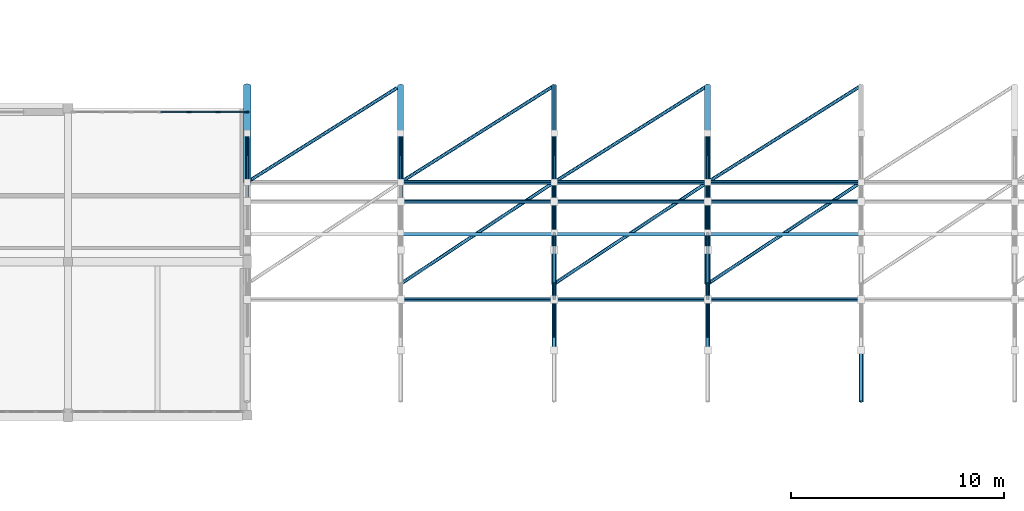
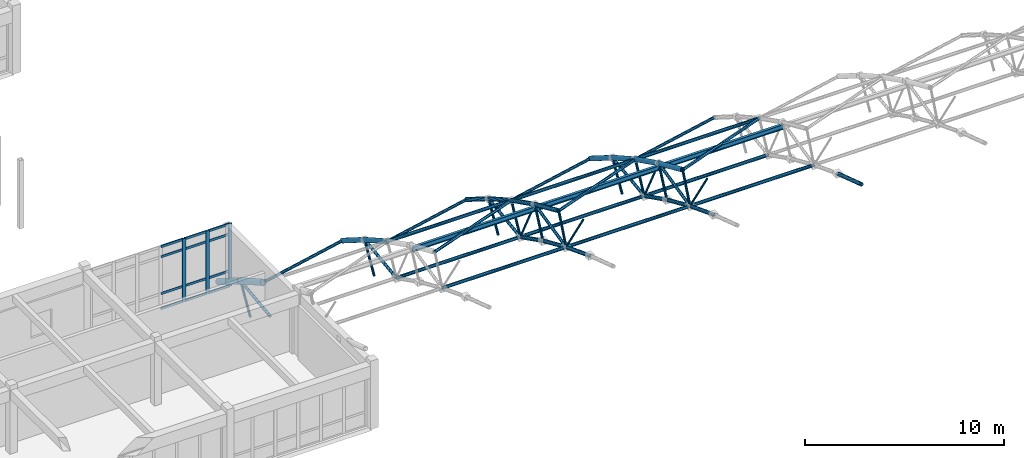
# One storey, part 56 of 89: 73 members, 1 element without a shape of its own.
"""IFC4 building model written with IfcOpenShell, lengths in metres."""

from ifc_helpers import new_model, si_unit, direction, frame, origin, origin_2d, place, context, subcontext, project, spatial, rectangle, hollow_circle, i_section, extrude, material, material_profile, profile_set, type_object, element, aggregate, save


model = new_model("IFC4")

# Units and contexts
model_context = context("Model", 3, precision=1e-05, world=origin(), true_north=direction((0.0, 1.0)))
body_context = subcontext(model_context, "Body", "Model", "MODEL_VIEW")
ifc_project = project(units=[si_unit("LENGTHUNIT", "METRE"), si_unit("AREAUNIT", "SQUARE_METRE"), si_unit("VOLUMEUNIT", "CUBIC_METRE"), si_unit("PLANEANGLEUNIT", "RADIAN"), si_unit("MASSUNIT", "GRAM", prefix="KILO")], contexts=[model_context])

# Site, building, storey
site_placement = place(None, origin())
site = spatial("IfcSite", under=ifc_project, at=site_placement, CompositionType="ELEMENT")
building_placement = place(site_placement, origin())
building = spatial("IfcBuilding", under=site, at=building_placement, Name="Malvenik Polytechnic", CompositionType="ELEMENT")
storey_placement = place(building_placement, frame((0.0, 0.0, 13.5)))
storey = spatial("IfcBuildingStorey", under=building, at=storey_placement, Name="L03", CompositionType="ELEMENT", Elevation=13.5)

# Curtain wall, members
ifc_material_1 = material(Name="Anodised aluminium 6060-T6", Category="aluminium")
curtain_wall_type = type_object("IfcCurtainWallType", Name="ARC-CW-CW-01", PredefinedType="NOTDEFINED", material=ifc_material_1)
curtain_wall_placement = place(storey_placement, origin())
curtain_wall = element("IfcCurtainWall", 1, at=curtain_wall_placement, inside=storey, type_object=curtain_wall_type, Name="Unitised Curtain Wall CW-01 L03 #192", PredefinedType="NOTDEFINED")
ifc_material_2 = material(Name="Anodised aluminium", Category="aluminium")
ifc_material_profile_1 = material_profile(ifc_material_2, rectangle(XDim=0.06005859375, YDim=0.199951171875, at=origin_2d()), Name="ALU MULLION 60x200")
ifc_profile_set_1 = profile_set([ifc_material_profile_1], Name="Anodised aluminium")
member_type_1 = type_object("IfcMemberType", Name="ARC-CWM-200", PredefinedType="MULLION", material=ifc_profile_set_1)
member_1_placement = place(storey_placement, frame((131.67431640625, 93.429931640625, 0.0), z_axis=(0.0, 0.0, 1.0), x_axis=(0.0, 1.0, 0.0)))
member_1 = element("IfcMember", 2, at=member_1_placement, type_object=member_type_1, Name="CW-01 mullion 5", PredefinedType="MULLION", context=body_context, shape_type="SweptSolid", body=[
    extrude(rectangle(XDim=0.06005859375, YDim=0.199951171875, at=origin_2d()), origin(), (0.0, 0.0, 1.0), 3.860107421875),
])
member_2_placement = place(storey_placement, frame((133.037109375, 93.429931640625, 0.0), z_axis=(0.0, 0.0, 1.0), x_axis=(0.0, 1.0, 0.0)))
member_2 = element("IfcMember", 3, at=member_2_placement, type_object=member_type_1, Name="CW-01 mullion 6", PredefinedType="MULLION", context=body_context, shape_type="SweptSolid", body=[
    extrude(rectangle(XDim=0.06005859375, YDim=0.199951171875, at=origin_2d()), origin(), (0.0, 0.0, 1.0), 3.860107421875),
])
member_3_placement = place(storey_placement, frame((134.3701171875, 93.429931640625, 0.0), z_axis=(0.0, 0.0, 1.0), x_axis=(0.0, 1.0, 0.0)))
member_3 = element("IfcMember", 4, at=member_3_placement, type_object=member_type_1, Name="CW-01 mullion 7", PredefinedType="MULLION", context=body_context, shape_type="SweptSolid", body=[
    extrude(rectangle(XDim=0.06005859375, YDim=0.199951171875, at=origin_2d()), origin(), (0.0, 0.0, 1.0), 3.860107421875),
])
ifc_material_profile_2 = material_profile(ifc_material_2, rectangle(XDim=0.06005859375, YDim=0.139892578125, at=origin_2d()), Name="ALU TRANSOM 60x140")
ifc_profile_set_2 = profile_set([ifc_material_profile_2], Name="Anodised aluminium")
member_type_2 = type_object("IfcMemberType", Name="ARC-CWT-140", PredefinedType="USERDEFINED", material=ifc_profile_set_2)
member_4_placement = place(storey_placement, frame((130.341552734375, 93.429931640625, 0.030029296875), z_axis=(1.0, 0.0, 0.0), x_axis=(0.0, 1.0, 0.0)))
member_4 = element("IfcMember", 5, at=member_4_placement, type_object=member_type_2, Name="CW-01 transom 4.1", ObjectType="TRANSOM", PredefinedType="USERDEFINED", context=body_context, shape_type="SweptSolid", body=[
    extrude(rectangle(XDim=0.06005859375, YDim=0.139892578125, at=origin_2d()), origin(), (0.0, 0.0, 1.0), 1.302734375),
])
member_5_placement = place(storey_placement, frame((130.341552734375, 93.429931640625, 0.949951171875), z_axis=(1.0, 0.0, 0.0), x_axis=(0.0, 1.0, 0.0)))
member_5 = element("IfcMember", 6, at=member_5_placement, type_object=member_type_2, Name="CW-01 transom 4.2", ObjectType="TRANSOM", PredefinedType="USERDEFINED", context=body_context, shape_type="SweptSolid", body=[
    extrude(rectangle(XDim=0.06005859375, YDim=0.139892578125, at=origin_2d()), origin(), (0.0, 0.0, 1.0), 1.302734375),
])
member_6_placement = place(storey_placement, frame((130.341552734375, 93.429931640625, 3.2099609375), z_axis=(1.0, 0.0, 0.0), x_axis=(0.0, 1.0, 0.0)))
member_6 = element("IfcMember", 7, at=member_6_placement, type_object=member_type_2, Name="CW-01 transom 4.3", ObjectType="TRANSOM", PredefinedType="USERDEFINED", context=body_context, shape_type="SweptSolid", body=[
    extrude(rectangle(XDim=0.06005859375, YDim=0.139892578125, at=origin_2d()), origin(), (0.0, 0.0, 1.0), 1.302734375),
])
member_7_placement = place(storey_placement, frame((130.341552734375, 93.429931640625, 3.830078125), z_axis=(1.0, 0.0, 0.0), x_axis=(0.0, 1.0, 0.0)))
member_7 = element("IfcMember", 8, at=member_7_placement, type_object=member_type_2, Name="CW-01 transom 4.4", ObjectType="TRANSOM", PredefinedType="USERDEFINED", context=body_context, shape_type="SweptSolid", body=[
    extrude(rectangle(XDim=0.06005859375, YDim=0.139892578125, at=origin_2d()), origin(), (0.0, 0.0, 1.0), 1.302734375),
])
member_8_placement = place(storey_placement, frame((131.704345703125, 93.429931640625, 0.030029296875), z_axis=(1.0, 0.0, 0.0), x_axis=(0.0, 1.0, 0.0)))
member_8 = element("IfcMember", 9, at=member_8_placement, type_object=member_type_2, Name="CW-01 transom 5.1", ObjectType="TRANSOM", PredefinedType="USERDEFINED", context=body_context, shape_type="SweptSolid", body=[
    extrude(rectangle(XDim=0.06005859375, YDim=0.139892578125, at=origin_2d()), origin(), (0.0, 0.0, 1.0), 1.302734375),
])
member_9_placement = place(storey_placement, frame((131.704345703125, 93.429931640625, 0.949951171875), z_axis=(1.0, 0.0, 0.0), x_axis=(0.0, 1.0, 0.0)))
member_9 = element("IfcMember", 10, at=member_9_placement, type_object=member_type_2, Name="CW-01 transom 5.2", ObjectType="TRANSOM", PredefinedType="USERDEFINED", context=body_context, shape_type="SweptSolid", body=[
    extrude(rectangle(XDim=0.06005859375, YDim=0.139892578125, at=origin_2d()), origin(), (0.0, 0.0, 1.0), 1.302734375),
])
member_10_placement = place(storey_placement, frame((131.704345703125, 93.429931640625, 3.2099609375), z_axis=(1.0, 0.0, 0.0), x_axis=(0.0, 1.0, 0.0)))
member_10 = element("IfcMember", 11, at=member_10_placement, type_object=member_type_2, Name="CW-01 transom 5.3", ObjectType="TRANSOM", PredefinedType="USERDEFINED", context=body_context, shape_type="SweptSolid", body=[
    extrude(rectangle(XDim=0.06005859375, YDim=0.139892578125, at=origin_2d()), origin(), (0.0, 0.0, 1.0), 1.302734375),
])
member_11_placement = place(storey_placement, frame((131.704345703125, 93.429931640625, 3.830078125), z_axis=(1.0, 0.0, 0.0), x_axis=(0.0, 1.0, 0.0)))
member_11 = element("IfcMember", 12, at=member_11_placement, type_object=member_type_2, Name="CW-01 transom 5.4", ObjectType="TRANSOM", PredefinedType="USERDEFINED", context=body_context, shape_type="SweptSolid", body=[
    extrude(rectangle(XDim=0.06005859375, YDim=0.139892578125, at=origin_2d()), origin(), (0.0, 0.0, 1.0), 1.302734375),
])
member_12_placement = place(storey_placement, frame((133.067138671875, 93.429931640625, 0.030029296875), z_axis=(1.0, 0.0, 0.0), x_axis=(0.0, 1.0, 0.0)))
member_12 = element("IfcMember", 13, at=member_12_placement, type_object=member_type_2, Name="CW-01 transom 6.1", ObjectType="TRANSOM", PredefinedType="USERDEFINED", context=body_context, shape_type="SweptSolid", body=[
    extrude(rectangle(XDim=0.06005859375, YDim=0.139892578125, at=origin_2d()), origin(), (0.0, 0.0, 1.0), 1.27294921875),
])
member_13_placement = place(storey_placement, frame((133.067138671875, 93.429931640625, 0.949951171875), z_axis=(1.0, 0.0, 0.0), x_axis=(0.0, 1.0, 0.0)))
member_13 = element("IfcMember", 14, at=member_13_placement, type_object=member_type_2, Name="CW-01 transom 6.2", ObjectType="TRANSOM", PredefinedType="USERDEFINED", context=body_context, shape_type="SweptSolid", body=[
    extrude(rectangle(XDim=0.06005859375, YDim=0.139892578125, at=origin_2d()), origin(), (0.0, 0.0, 1.0), 1.27294921875),
])
member_14_placement = place(storey_placement, frame((133.067138671875, 93.429931640625, 3.2099609375), z_axis=(1.0, 0.0, 0.0), x_axis=(0.0, 1.0, 0.0)))
member_14 = element("IfcMember", 15, at=member_14_placement, type_object=member_type_2, Name="CW-01 transom 6.3", ObjectType="TRANSOM", PredefinedType="USERDEFINED", context=body_context, shape_type="SweptSolid", body=[
    extrude(rectangle(XDim=0.06005859375, YDim=0.139892578125, at=origin_2d()), origin(), (0.0, 0.0, 1.0), 1.27294921875),
])
member_15_placement = place(storey_placement, frame((133.067138671875, 93.429931640625, 3.830078125), z_axis=(1.0, 0.0, 0.0), x_axis=(0.0, 1.0, 0.0)))
member_15 = element("IfcMember", 16, at=member_15_placement, type_object=member_type_2, Name="CW-01 transom 6.4", ObjectType="TRANSOM", PredefinedType="USERDEFINED", context=body_context, shape_type="SweptSolid", body=[
    extrude(rectangle(XDim=0.06005859375, YDim=0.139892578125, at=origin_2d()), origin(), (0.0, 0.0, 1.0), 1.27294921875),
])
aggregate(curtain_wall, [member_1, member_2, member_3, member_4, member_5, member_6, member_7, member_8, member_9, member_10, member_11, member_12, member_13, member_14, member_15])

# Members
ifc_material_3 = material(Name="Steel S355J2H", Category="steel")
ifc_material_profile_3 = material_profile(ifc_material_3, hollow_circle(Radius=0.109619140625, WallThickness=0.010009765625, at=origin_2d()), Name="CHS 219.1x10.0")
ifc_profile_set_3 = profile_set([ifc_material_profile_3], Name="Steel S355J2H")
member_type_3 = type_object("IfcMemberType", Name="STR-MEM-SFB-02", PredefinedType="CHORD", material=ifc_profile_set_3)
member_16_placement = place(storey_placement, frame((156.0, 82.2626953125, 3.583740234375), z_axis=(0.0, 0.933457240212, -0.358688696079), x_axis=(-1.0, 0.0, 0.0)))
element("IfcMember", 17, at=member_16_placement, inside=storey, type_object=member_type_3, Name="Space-Frame Tube SFB-02 STR-SF-BC-0330", PredefinedType="CHORD", context=body_context, shape_type="SweptSolid", body=[
    extrude(hollow_circle(Radius=0.109619140625, WallThickness=0.010009765625, at=origin_2d()), origin(), (0.0, 0.0, 1.0), 2.535400390625),
])
for number, where, z_axis, x_axis, name in (
    (18, (156.0, 84.636962890625, 2.67138671875), (0.0, 0.914766067663, -0.403983961875), (-1.0, 0.0, 0.0), "Space-Frame Tube SFB-02 STR-SF-BC-0332"),
    (19, (156.0, 86.96337890625, 1.643798828125), (0.0, 0.893983756893, -0.448099366673), (-1.0, 0.0, 0.0), "Space-Frame Tube SFB-02 STR-SF-BC-0334"),
):
    element("IfcMember", number, at=place(storey_placement, frame(where, z_axis=z_axis, x_axis=x_axis)), inside=storey, type_object=member_type_3, Name=name, PredefinedType="CHORD", context=body_context, shape_type="SweptSolid", body=[
        extrude(hollow_circle(Radius=0.109619140625, WallThickness=0.010009765625, at=origin_2d()), origin(), (0.0, 0.0, 1.0), 2.53515625),
    ])
ifc_material_profile_4 = material_profile(ifc_material_3, hollow_circle(Radius=0.109619140625, WallThickness=0.008056640625, at=origin_2d()), Name="CHS 219.1x8.0")
ifc_profile_set_4 = profile_set([ifc_material_profile_4], Name="Steel S355J2H")
member_type_4 = type_object("IfcMemberType", Name="STR-MEM-SFB-03", PredefinedType="CHORD", material=ifc_profile_set_4)
member_17_placement = place(storey_placement, frame((148.800048828125, 82.2626953125, 3.583740234375), z_axis=(0.0, 0.933457240212, -0.358688696079), x_axis=(-1.0, 0.0, 0.0)))
element("IfcMember", 20, at=member_17_placement, inside=storey, type_object=member_type_4, Name="Space-Frame Tube SFB-03 STR-SF-BC-0233", PredefinedType="CHORD", context=body_context, shape_type="SweptSolid", body=[
    extrude(hollow_circle(Radius=0.109619140625, WallThickness=0.008056640625, at=origin_2d()), origin(), (0.0, 0.0, 1.0), 2.535400390625),
])
for number, where, z_axis, x_axis, name in (
    (21, (148.800048828125, 84.636962890625, 2.67138671875), (0.0, 0.914766067663, -0.403983961875), (-1.0, 0.0, 0.0), "Space-Frame Tube SFB-03 STR-SF-BC-0235"),
    (22, (148.800048828125, 86.96337890625, 1.643798828125), (0.0, 0.893983756893, -0.448099366673), (-1.0, 0.0, 0.0), "Space-Frame Tube SFB-03 STR-SF-BC-0237"),
):
    element("IfcMember", number, at=place(storey_placement, frame(where, z_axis=z_axis, x_axis=x_axis)), inside=storey, type_object=member_type_4, Name=name, PredefinedType="CHORD", context=body_context, shape_type="SweptSolid", body=[
        extrude(hollow_circle(Radius=0.109619140625, WallThickness=0.008056640625, at=origin_2d()), origin(), (0.0, 0.0, 1.0), 2.53515625),
    ])
member_18_placement = place(storey_placement, frame((163.199951171875, 79.846923828125, 4.37890625), z_axis=(0.0, 0.94989908527, -0.31255675933), x_axis=(-1.0, 0.0, 0.0)))
element("IfcMember", 23, at=member_18_placement, inside=storey, type_object=member_type_4, Name="Space-Frame Tube SFB-03 STR-SF-BC-0425", PredefinedType="CHORD", context=body_context, shape_type="SweptSolid", body=[
    extrude(hollow_circle(Radius=0.109619140625, WallThickness=0.008056640625, at=origin_2d()), origin(), (0.0, 0.0, 1.0), 2.535400390625),
])
ifc_material_profile_5 = material_profile(ifc_material_3, hollow_circle(Radius=0.084228515625, WallThickness=0.00634765625, at=origin_2d()), Name="CHS 168.3x6.3")
ifc_profile_set_5 = profile_set([ifc_material_profile_5], Name="Steel S355J2H")
member_type_5 = type_object("IfcMemberType", Name="STR-MEM-SFD-02", PredefinedType="BRACE", material=ifc_profile_set_5)
member_19_placement = place(storey_placement, frame((134.39990234375, 89.45166015625, 0.533447265625), z_axis=(0.0, 0.992156110147, 0.125005012289), x_axis=(-1.0, 0.0, 0.0)))
element("IfcMember", 24, at=member_19_placement, inside=storey, type_object=member_type_5, Name="Space-Frame Tube SFD-02 STR-SF-AD-0096", PredefinedType="BRACE", context=body_context, shape_type="SweptSolid", body=[
    extrude(hollow_circle(Radius=0.084228515625, WallThickness=0.00634765625, at=origin_2d()), origin(), (0.0, 0.0, 1.0), 2.787109375),
])
member_20_placement = place(storey_placement, frame((141.60009765625, 89.2373046875, 0.506591796875), z_axis=(0.0, 0.992158407133, 0.124986779923), x_axis=(-1.0, 0.0, 0.0)))
element("IfcMember", 25, at=member_20_placement, inside=storey, type_object=member_type_5, Name="Space-Frame Tube SFD-02 STR-SF-AD-0193", PredefinedType="BRACE", context=body_context, shape_type="SweptSolid", body=[
    extrude(hollow_circle(Radius=0.084228515625, WallThickness=0.00634765625, at=origin_2d()), origin(), (0.0, 0.0, 1.0), 3.218994140625),
])
member_21_placement = place(storey_placement, frame((148.800048828125, 84.63720703125, 2.673828125), z_axis=(0.0, 0.975199124714, 0.221329318341), x_axis=(-1.0, 0.0, 0.0)))
element("IfcMember", 26, at=member_21_placement, inside=storey, type_object=member_type_5, Name="Space-Frame Tube SFD-02 STR-SF-AD-0288", PredefinedType="BRACE", context=body_context, shape_type="SweptSolid", body=[
    extrude(hollow_circle(Radius=0.084228515625, WallThickness=0.00634765625, at=origin_2d()), origin(), (0.0, 0.0, 1.0), 3.21875),
])
member_22_placement = place(storey_placement, frame((148.800048828125, 89.2373046875, 0.506591796875), z_axis=(0.0, 0.992158407133, 0.124986779923), x_axis=(-1.0, 0.0, 0.0)))
element("IfcMember", 27, at=member_22_placement, inside=storey, type_object=member_type_5, Name="Space-Frame Tube SFD-02 STR-SF-AD-0290", PredefinedType="BRACE", context=body_context, shape_type="SweptSolid", body=[
    extrude(hollow_circle(Radius=0.084228515625, WallThickness=0.00634765625, at=origin_2d()), origin(), (0.0, 0.0, 1.0), 3.218994140625),
])
member_23_placement = place(storey_placement, frame((156.0, 84.63720703125, 2.673828125), z_axis=(0.0, 0.975199124714, 0.221329318341), x_axis=(-1.0, 0.0, 0.0)))
element("IfcMember", 28, at=member_23_placement, inside=storey, type_object=member_type_5, Name="Space-Frame Tube SFD-02 STR-SF-AD-0385", PredefinedType="BRACE", context=body_context, shape_type="SweptSolid", body=[
    extrude(hollow_circle(Radius=0.084228515625, WallThickness=0.00634765625, at=origin_2d()), origin(), (0.0, 0.0, 1.0), 3.21875),
])
member_24_placement = place(storey_placement, frame((156.0, 89.2373046875, 0.506591796875), z_axis=(0.0, 0.992158407133, 0.124986779923), x_axis=(-1.0, 0.0, 0.0)))
element("IfcMember", 29, at=member_24_placement, inside=storey, type_object=member_type_5, Name="Space-Frame Tube SFD-02 STR-SF-AD-0387", PredefinedType="BRACE", context=body_context, shape_type="SweptSolid", body=[
    extrude(hollow_circle(Radius=0.084228515625, WallThickness=0.00634765625, at=origin_2d()), origin(), (0.0, 0.0, 1.0), 3.218994140625),
])
member_25_placement = place(storey_placement, frame((134.577392578125, 90.24951171875, 2.138671875), z_axis=(0.806755569266, 0.507394525588, -0.302813881552), x_axis=(-0.532390408719, 0.846498938395, 0.0)))
element("IfcMember", 30, at=member_25_placement, inside=storey, type_object=member_type_5, Name="Space-Frame Tube SFD-02 STR-SF-SD-0814", PredefinedType="BRACE", context=body_context, shape_type="SweptSolid", body=[
    extrude(hollow_circle(Radius=0.084228515625, WallThickness=0.00634765625, at=origin_2d()), origin(), (0.0, 0.0, 1.0), 8.48486328125),
])
for number, where, z_axis, x_axis, name in (
    (31, (141.603271484375, 85.369384765625, 4.451416015625), (0.806760787968, 0.534545761531, -0.251789316347), (-0.552341045188, 0.833618239844, 0.0), "Space-Frame Tube SFD-02 STR-SF-SD-0855"),
    (32, (141.603271484375, 90.139892578125, 2.2041015625), (0.806747277077, 0.507403378204, -0.302821139809), (-0.532400985757, 0.846492286064, 0.0), "Space-Frame Tube SFD-02 STR-SF-SD-0856"),
    (33, (148.80322265625, 85.369384765625, 4.451416015625), (0.806760787968, 0.534545761531, -0.251789316347), (-0.552341045188, 0.833618239844, 0.0), "Space-Frame Tube SFD-02 STR-SF-SD-0897"),
    (34, (148.80322265625, 90.139892578125, 2.2041015625), (0.806747277077, 0.507403378204, -0.302821139809), (-0.532400985757, 0.846492286064, 0.0), "Space-Frame Tube SFD-02 STR-SF-SD-0898"),
    (35, (156.003173828125, 85.369384765625, 4.451416015625), (0.806760787968, 0.534545761531, -0.251789316347), (-0.552341045188, 0.833618239844, 0.0), "Space-Frame Tube SFD-02 STR-SF-SD-0939"),
    (36, (156.003173828125, 90.139892578125, 2.2041015625), (0.806747277077, 0.507403378204, -0.302821139809), (-0.532400985757, 0.846492286064, 0.0), "Space-Frame Tube SFD-02 STR-SF-SD-0940"),
):
    element("IfcMember", number, at=place(storey_placement, frame(where, z_axis=z_axis, x_axis=x_axis)), inside=storey, type_object=member_type_5, Name=name, PredefinedType="BRACE", context=body_context, shape_type="SweptSolid", body=[
        extrude(hollow_circle(Radius=0.084228515625, WallThickness=0.00634765625, at=origin_2d()), origin(), (0.0, 0.0, 1.0), 8.916748046875),
    ])
ifc_material_profile_6 = material_profile(ifc_material_3, hollow_circle(Radius=0.06982421875, WallThickness=0.00634765625, at=origin_2d()), Name="CHS 139.7x6.3")
ifc_profile_set_6 = profile_set([ifc_material_profile_6], Name="Steel S355J2H")
member_type_6 = type_object("IfcMemberType", Name="STR-MEM-SFD-03", PredefinedType="BRACE", material=ifc_profile_set_6)
for number, where, z_axis, x_axis, name in (
    (37, (134.39990234375, 91.45068359375, -0.740234375), (0.0, 0.512452965651, 0.858715295075), (-1.0, 0.0, 0.0), "Space-Frame Tube SFD-03 STR-SF-WB-0072"),
    (38, (141.60009765625, 91.45068359375, -0.740234375), (0.0, 0.512452965651, 0.858715295075), (-1.0, 0.0, 0.0), "Space-Frame Tube SFD-03 STR-SF-WB-0169"),
    (39, (148.800048828125, 84.634765625, 2.6767578125), (0.0, 0.381447924526, 0.924390329285), (-1.0, 0.0, 0.0), "Space-Frame Tube SFD-03 STR-SF-WB-0263"),
    (40, (148.800048828125, 86.96142578125, 1.6494140625), (0.0, 0.426152750684, 0.904651221789), (-1.0, 0.0, 0.0), "Space-Frame Tube SFD-03 STR-SF-WB-0264"),
    (41, (148.800048828125, 89.2353515625, 0.509521484375), (0.0, 0.469841077687, 0.882751019097), (-1.0, 0.0, 0.0), "Space-Frame Tube SFD-03 STR-SF-WB-0265"),
    (42, (148.800048828125, 91.45068359375, -0.740234375), (0.0, 0.512452965651, 0.858715295075), (-1.0, 0.0, 0.0), "Space-Frame Tube SFD-03 STR-SF-WB-0266"),
    (43, (156.0, 84.634765625, 2.6767578125), (0.0, 0.381447924526, 0.924390329285), (-1.0, 0.0, 0.0), "Space-Frame Tube SFD-03 STR-SF-WB-0360"),
    (44, (156.0, 86.96142578125, 1.6494140625), (0.0, 0.426152750684, 0.904651221789), (-1.0, 0.0, 0.0), "Space-Frame Tube SFD-03 STR-SF-WB-0361"),
    (45, (156.0, 89.2353515625, 0.509521484375), (0.0, 0.469841077687, 0.882751019097), (-1.0, 0.0, 0.0), "Space-Frame Tube SFD-03 STR-SF-WB-0362"),
    (46, (156.0, 91.45068359375, -0.740234375), (0.0, 0.512452965651, 0.858715295075), (-1.0, 0.0, 0.0), "Space-Frame Tube SFD-03 STR-SF-WB-0363"),
):
    element("IfcMember", number, at=place(storey_placement, frame(where, z_axis=z_axis, x_axis=x_axis)), inside=storey, type_object=member_type_6, Name=name, PredefinedType="BRACE", context=body_context, shape_type="SweptSolid", body=[
        extrude(hollow_circle(Radius=0.06982421875, WallThickness=0.00634765625, at=origin_2d()), origin(), (0.0, 0.0, 1.0), 1.9169921875),
    ])
ifc_material_profile_7 = material_profile(ifc_material_3, hollow_circle(Radius=0.05712890625, WallThickness=0.0048828125, at=origin_2d()), Name="CHS 114.3x5.0")
ifc_profile_set_7 = profile_set([ifc_material_profile_7], Name="Steel S355J2H")
member_type_7 = type_object("IfcMemberType", Name="STR-MEM-SFD-04", PredefinedType="BRACE", material=ifc_profile_set_7)
for number, where, z_axis, x_axis, name in (
    (47, (148.800048828125, 82.907470703125, 5.39501953125), (0.0, 0.535476056284, -0.844550408884), (-1.0, 0.0, 0.0), "Space-Frame Tube SFD-04 STR-SF-AD-0287"),
    (48, (148.800048828125, 87.781982421875, 3.383544921875), (0.0, 0.450365953403, -0.892844055821), (-1.0, 0.0, 0.0), "Space-Frame Tube SFD-04 STR-SF-AD-0289"),
    (49, (156.0, 82.907470703125, 5.39501953125), (0.0, 0.535476056284, -0.844550408884), (-1.0, 0.0, 0.0), "Space-Frame Tube SFD-04 STR-SF-AD-0384"),
    (50, (156.0, 87.781982421875, 3.383544921875), (0.0, 0.450365953403, -0.892844055821), (-1.0, 0.0, 0.0), "Space-Frame Tube SFD-04 STR-SF-AD-0386"),
):
    element("IfcMember", number, at=place(storey_placement, frame(where, z_axis=z_axis, x_axis=x_axis)), inside=storey, type_object=member_type_7, Name=name, PredefinedType="BRACE", context=body_context, shape_type="SweptSolid", body=[
        extrude(hollow_circle(Radius=0.05712890625, WallThickness=0.0048828125, at=origin_2d()), origin(), (0.0, 0.0, 1.0), 3.218994140625),
    ])
ifc_material_profile_8 = material_profile(ifc_material_3, hollow_circle(Radius=0.096923828125, WallThickness=0.008056640625, at=origin_2d()), Name="CHS 193.7x8.0")
ifc_profile_set_8 = profile_set([ifc_material_profile_8], Name="Steel S355J2H")
member_type_8 = type_object("IfcMemberType", Name="STR-MEM-SFL-01", PredefinedType="CHORD", material=ifc_profile_set_8)
for number, where, z_axis, x_axis, name in (
    (51, (141.60400390625, 84.63330078125, 2.673095703125), (1.0, 0.0, 0.0), (0.0, 1.0, 0.0), "Space-Frame Tube SFL-01 STR-SF-LB-0839"),
    (52, (141.60400390625, 89.2333984375, 0.506103515625), (1.0, 0.0, 0.0), (0.0, 1.0, 0.0), "Space-Frame Tube SFL-01 STR-SF-LB-0841"),
    (53, (141.60400390625, 90.137939453125, 2.205078125), (1.0, 0.0, 0.0), (0.0, 1.0, 0.0), "Space-Frame Tube SFL-01 STR-SF-LT-0842"),
):
    element("IfcMember", number, at=place(storey_placement, frame(where, z_axis=z_axis, x_axis=x_axis)), inside=storey, type_object=member_type_8, Name=name, PredefinedType="CHORD", context=body_context, shape_type="SweptSolid", body=[
        extrude(hollow_circle(Radius=0.096923828125, WallThickness=0.008056640625, at=origin_2d()), origin(), (0.0, 0.0, 1.0), 7.19189453125),
    ])
for number, where, z_axis, x_axis, name in (
    (54, (148.803955078125, 84.63330078125, 2.673095703125), (1.0, 0.0, 0.0), (0.0, 1.0, 0.0), "Space-Frame Tube SFL-01 STR-SF-LB-0881"),
    (55, (148.803955078125, 89.2333984375, 0.506103515625), (1.0, 0.0, 0.0), (0.0, 1.0, 0.0), "Space-Frame Tube SFL-01 STR-SF-LB-0883"),
    (56, (148.803955078125, 90.137939453125, 2.205078125), (1.0, 0.0, 0.0), (0.0, 1.0, 0.0), "Space-Frame Tube SFL-01 STR-SF-LT-0884"),
    (57, (156.00390625, 84.63330078125, 2.673095703125), (1.0, 0.0, 0.0), (0.0, 1.0, 0.0), "Space-Frame Tube SFL-01 STR-SF-LB-0923"),
    (58, (156.00390625, 89.2333984375, 0.506103515625), (1.0, 0.0, 0.0), (0.0, 1.0, 0.0), "Space-Frame Tube SFL-01 STR-SF-LB-0925"),
    (59, (156.00390625, 90.137939453125, 2.205078125), (1.0, 0.0, 0.0), (0.0, 1.0, 0.0), "Space-Frame Tube SFL-01 STR-SF-LT-0926"),
):
    element("IfcMember", number, at=place(storey_placement, frame(where, z_axis=z_axis, x_axis=x_axis)), inside=storey, type_object=member_type_8, Name=name, PredefinedType="CHORD", context=body_context, shape_type="SweptSolid", body=[
        extrude(hollow_circle(Radius=0.096923828125, WallThickness=0.008056640625, at=origin_2d()), origin(), (0.0, 0.0, 1.0), 7.192138671875),
    ])
ifc_material_4 = material(Name="Steel S355", Category="steel")
ifc_material_profile_9 = material_profile(ifc_material_4, i_section(OverallWidth=0.14990234375, OverallDepth=0.300048828125, WebThickness=0.007080078125, FlangeThickness=0.0107421875, FilletRadius=0.014892578125, at=origin_2d()), Name="IPE 300")
ifc_profile_set_9 = profile_set([ifc_material_profile_9], Name="Steel S355")
member_type_9 = type_object("IfcMemberType", Name="STR-MEM-SFP-02", PredefinedType="PURLIN", material=ifc_profile_set_9)
for number, where, z_axis, x_axis, name in (
    (60, (141.6201171875, 87.69287109375, 3.201904296875), (1.0, 0.0, 0.0), (0.0, 1.0, 0.0), "Vault Roof Purlin SFP-02 #860"),
    (61, (148.820068359375, 87.69287109375, 3.201904296875), (1.0, 0.0, 0.0), (0.0, 1.0, 0.0), "Vault Roof Purlin SFP-02 #902"),
    (62, (156.02001953125, 87.69287109375, 3.201904296875), (1.0, 0.0, 0.0), (0.0, 1.0, 0.0), "Vault Roof Purlin SFP-02 #944"),
):
    element("IfcMember", number, at=place(storey_placement, frame(where, z_axis=z_axis, x_axis=x_axis)), inside=storey, type_object=member_type_9, Name=name, PredefinedType="PURLIN", context=body_context, shape_type="SweptSolid", body=[
        extrude(i_section(OverallWidth=0.14990234375, OverallDepth=0.300048828125, WebThickness=0.007080078125, FlangeThickness=0.0107421875, FilletRadius=0.014892578125, at=origin_2d()), origin(), (0.0, 0.0, 1.0), 7.159912109375),
    ])
ifc_material_profile_10 = material_profile(ifc_material_3, hollow_circle(Radius=0.177734375, WallThickness=0.012451171875, at=origin_2d()), Name="CHS 355.6x12.5")
ifc_profile_set_10 = profile_set([ifc_material_profile_10], Name="Steel S355J2H")
member_type_10 = type_object("IfcMemberType", Name="STR-MEM-SFT-01", PredefinedType="CHORD", material=ifc_profile_set_10)
member_26_placement = place(storey_placement, frame((134.39990234375, 90.141357421875, 2.203125), z_axis=(0.0, 0.871012085671, -0.491261586748), x_axis=(-1.0, 0.0, 0.0)))
element("IfcMember", 63, at=member_26_placement, inside=storey, type_object=member_type_10, Name="Space-Frame Tube SFT-01 STR-SF-TC-0046", PredefinedType="CHORD", context=body_context, shape_type="SweptSolid", body=[
    extrude(hollow_circle(Radius=0.177734375, WallThickness=0.012451171875, at=origin_2d()), origin(), (0.0, 0.0, 1.0), 2.62939453125),
])
member_27_placement = place(storey_placement, frame((134.39990234375, 92.4384765625, 0.9072265625), z_axis=(0.0, 0.845921049745, -0.53330814507), x_axis=(-1.0, 0.0, 0.0)))
element("IfcMember", 64, at=member_27_placement, inside=storey, type_object=member_type_10, Name="Space-Frame Tube SFT-01 STR-SF-TC-0048", PredefinedType="CHORD", context=body_context, shape_type="SweptSolid", body=[
    extrude(hollow_circle(Radius=0.177734375, WallThickness=0.012451171875, at=origin_2d()), origin(), (0.0, 0.0, 1.0), 2.629638671875),
])
ifc_material_profile_11 = material_profile(ifc_material_3, hollow_circle(Radius=0.136474609375, WallThickness=0.012451171875, at=origin_2d()), Name="CHS 273.0x12.5")
ifc_profile_set_11 = profile_set([ifc_material_profile_11], Name="Steel S355J2H")
member_type_11 = type_object("IfcMemberType", Name="STR-MEM-SFT-02", PredefinedType="CHORD", material=ifc_profile_set_11)
member_28_placement = place(storey_placement, frame((141.60009765625, 90.141357421875, 2.203125), z_axis=(0.0, 0.871012085671, -0.491261586748), x_axis=(-1.0, 0.0, 0.0)))
element("IfcMember", 65, at=member_28_placement, inside=storey, type_object=member_type_11, Name="Space-Frame Tube SFT-02 STR-SF-TC-0143", PredefinedType="CHORD", context=body_context, shape_type="SweptSolid", body=[
    extrude(hollow_circle(Radius=0.136474609375, WallThickness=0.012451171875, at=origin_2d()), origin(), (0.0, 0.0, 1.0), 2.62939453125),
])
member_29_placement = place(storey_placement, frame((141.60009765625, 92.4384765625, 0.9072265625), z_axis=(0.0, 0.845921049745, -0.53330814507), x_axis=(-1.0, 0.0, 0.0)))
element("IfcMember", 66, at=member_29_placement, inside=storey, type_object=member_type_11, Name="Space-Frame Tube SFT-02 STR-SF-TC-0145", PredefinedType="CHORD", context=body_context, shape_type="SweptSolid", body=[
    extrude(hollow_circle(Radius=0.136474609375, WallThickness=0.012451171875, at=origin_2d()), origin(), (0.0, 0.0, 1.0), 2.629638671875),
])
for number, where, z_axis, x_axis, name in (
    (67, (156.0, 85.37109375, 4.450927734375), (0.0, 0.914796734349, -0.403914514253), (-1.0, 0.0, 0.0), "Space-Frame Tube SFT-02 STR-SF-TC-0333"),
    (68, (156.0, 87.78369140625, 3.385498046875), (0.0, 0.893943858367, -0.448178957659), (-1.0, 0.0, 0.0), "Space-Frame Tube SFT-02 STR-SF-TC-0335"),
    (69, (156.0, 90.141357421875, 2.203125), (0.0, 0.871012085671, -0.491261586748), (-1.0, 0.0, 0.0), "Space-Frame Tube SFT-02 STR-SF-TC-0337"),
):
    element("IfcMember", number, at=place(storey_placement, frame(where, z_axis=z_axis, x_axis=x_axis)), inside=storey, type_object=member_type_11, Name=name, PredefinedType="CHORD", context=body_context, shape_type="SweptSolid", body=[
        extrude(hollow_circle(Radius=0.136474609375, WallThickness=0.012451171875, at=origin_2d()), origin(), (0.0, 0.0, 1.0), 2.62939453125),
    ])
member_30_placement = place(storey_placement, frame((156.0, 92.4384765625, 0.9072265625), z_axis=(0.0, 0.845921049745, -0.53330814507), x_axis=(-1.0, 0.0, 0.0)))
element("IfcMember", 70, at=member_30_placement, inside=storey, type_object=member_type_11, Name="Space-Frame Tube SFT-02 STR-SF-TC-0339", PredefinedType="CHORD", context=body_context, shape_type="SweptSolid", body=[
    extrude(hollow_circle(Radius=0.136474609375, WallThickness=0.012451171875, at=origin_2d()), origin(), (0.0, 0.0, 1.0), 2.629638671875),
])
ifc_material_profile_12 = material_profile(ifc_material_3, hollow_circle(Radius=0.122314453125, WallThickness=0.010009765625, at=origin_2d()), Name="CHS 244.5x10.0")
ifc_profile_set_12 = profile_set([ifc_material_profile_12], Name="Steel S355J2H")
member_type_12 = type_object("IfcMemberType", Name="STR-MEM-SFT-03", PredefinedType="CHORD", material=ifc_profile_set_12)
for number, where, z_axis, x_axis, name in (
    (71, (148.800048828125, 85.37109375, 4.450927734375), (0.0, 0.914796734349, -0.403914514253), (-1.0, 0.0, 0.0), "Space-Frame Tube SFT-03 STR-SF-TC-0236"),
    (72, (148.800048828125, 87.78369140625, 3.385498046875), (0.0, 0.893943858367, -0.448178957659), (-1.0, 0.0, 0.0), "Space-Frame Tube SFT-03 STR-SF-TC-0238"),
    (73, (148.800048828125, 90.141357421875, 2.203125), (0.0, 0.871012085671, -0.491261586748), (-1.0, 0.0, 0.0), "Space-Frame Tube SFT-03 STR-SF-TC-0240"),
):
    element("IfcMember", number, at=place(storey_placement, frame(where, z_axis=z_axis, x_axis=x_axis)), inside=storey, type_object=member_type_12, Name=name, PredefinedType="CHORD", context=body_context, shape_type="SweptSolid", body=[
        extrude(hollow_circle(Radius=0.122314453125, WallThickness=0.010009765625, at=origin_2d()), origin(), (0.0, 0.0, 1.0), 2.62939453125),
    ])
member_31_placement = place(storey_placement, frame((148.800048828125, 92.4384765625, 0.9072265625), z_axis=(0.0, 0.845921049745, -0.53330814507), x_axis=(-1.0, 0.0, 0.0)))
element("IfcMember", 74, at=member_31_placement, inside=storey, type_object=member_type_12, Name="Space-Frame Tube SFT-03 STR-SF-TC-0242", PredefinedType="CHORD", context=body_context, shape_type="SweptSolid", body=[
    extrude(hollow_circle(Radius=0.122314453125, WallThickness=0.010009765625, at=origin_2d()), origin(), (0.0, 0.0, 1.0), 2.629638671875),
])

save(model, "model.ifc")
